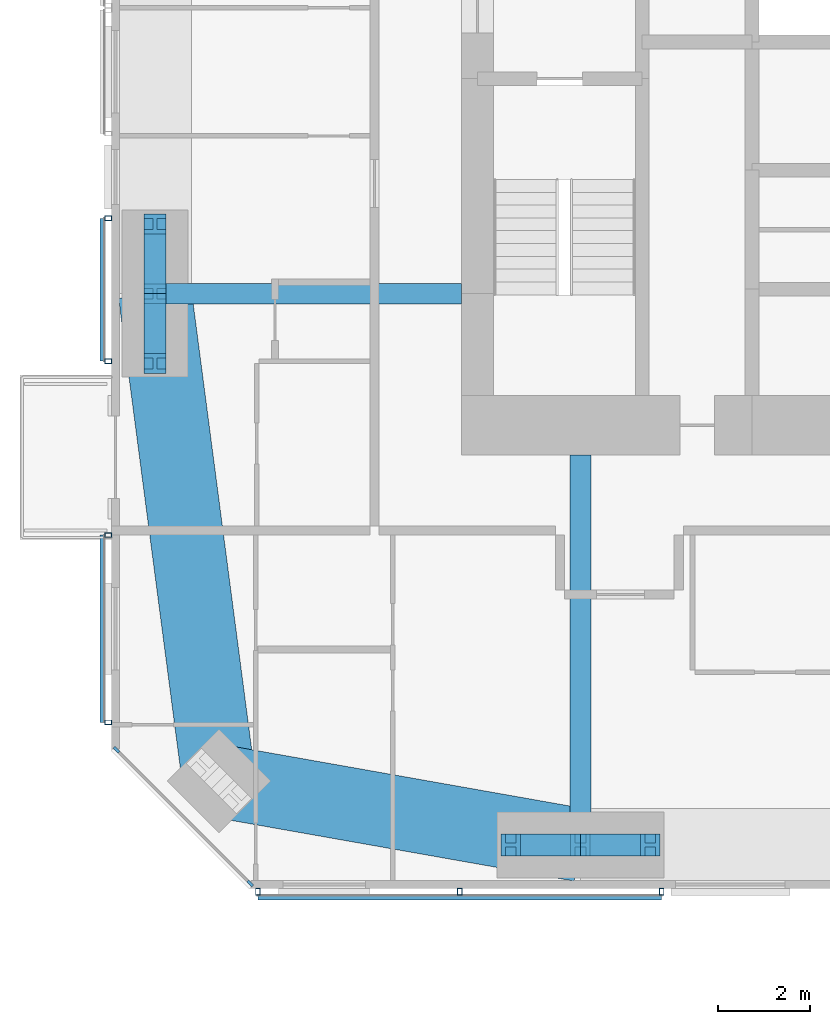
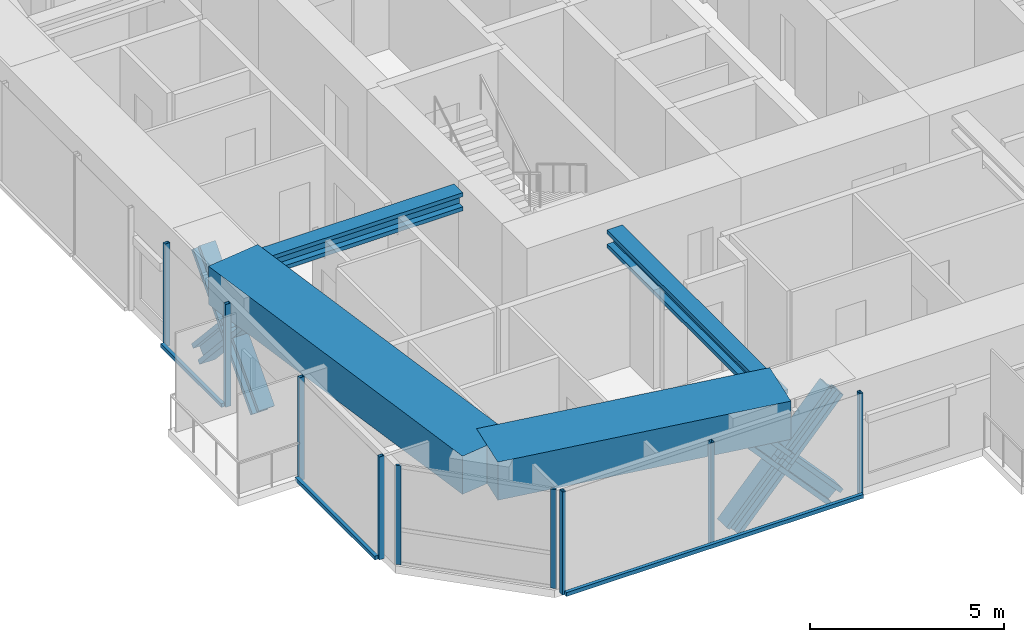
# One storey, part 2 of 22: 20 members, 4 beams, 4 elements without a shape of their own.
"""IFC4 building model written with IfcOpenShell, lengths in metres."""

from ifc_helpers import new_model, si_unit, direction, frame, origin, origin_2d, place, context, subcontext, project, spatial, rectangle, hollow_rectangle, i_section, extrude, material, material_profile, profile_set, type_object, element, aggregate, save


model = new_model("IFC4")

# Units and contexts
model_context = context("Model", 3, precision=1e-05, world=origin(), true_north=direction((0.0, 1.0)))
body_context = subcontext(model_context, "Body", "Model", "MODEL_VIEW")
ifc_project = project(units=[si_unit("LENGTHUNIT", "METRE"), si_unit("AREAUNIT", "SQUARE_METRE"), si_unit("VOLUMEUNIT", "CUBIC_METRE"), si_unit("PLANEANGLEUNIT", "RADIAN"), si_unit("MASSUNIT", "GRAM", prefix="KILO")], contexts=[model_context])

# Site, building, storey
site_placement = place(None, origin())
site = spatial("IfcSite", under=ifc_project, at=site_placement, CompositionType="ELEMENT")
building_placement = place(site_placement, origin())
building = spatial("IfcBuilding", under=site, at=building_placement, Name="Jalousie Tower", CompositionType="ELEMENT")
storey_placement = place(building_placement, frame((0.0, 0.0, 201.25)))
storey = spatial("IfcBuildingStorey", under=building, at=storey_placement, Name="L55", CompositionType="ELEMENT", Elevation=201.25)

# Curtain wall, members
ifc_material_1 = material(Name="Aluminium curtain wall", Category="aluminium")
curtain_wall_type_1 = type_object("IfcCurtainWallType", Name="CORNER WINDOW WALL", PredefinedType="USERDEFINED", material=ifc_material_1)
curtain_wall_1_placement = place(storey_placement, origin())
curtain_wall_1 = element("IfcCurtainWall", 1, at=curtain_wall_1_placement, inside=storey, type_object=curtain_wall_type_1, Name="Corner Window Wall L55 8", ObjectType="CORNER WINDOW WALL", PredefinedType="USERDEFINED")
ifc_material_2 = material(Name="Aluminium mullion", Category="aluminium")
ifc_material_profile_1 = material_profile(ifc_material_2, rectangle(XDim=0.06005859375, YDim=0.14990234375, at=origin_2d()), Name="MULLION 60x150")
ifc_profile_set_1 = profile_set([ifc_material_profile_1], Name="Aluminium mullion")
member_type_1 = type_object("IfcMemberType", Name="CORNER WINDOW WALL MULLION", PredefinedType="MULLION", material=ifc_profile_set_1)
member_1_placement = place(storey_placement, frame((12.108642578125, 3.030029296875, 0.0), z_axis=(0.0, 0.0, 1.0), x_axis=(0.707106781187, 0.707106781187, 0.0)))
member_1 = element("IfcMember", 2, at=member_1_placement, type_object=member_type_1, Name="CW-C mullion 1", PredefinedType="MULLION", context=body_context, shape_type="SweptSolid", body=[
    extrude(rectangle(XDim=0.06005859375, YDim=0.14990234375, at=origin_2d()), origin(), (0.0, 0.0, 1.0), 3.110107421875),
])
member_2_placement = place(storey_placement, frame((15.030029296875, 0.108642578125, 0.0), z_axis=(0.0, 0.0, 1.0), x_axis=(0.707106781187, 0.707106781187, 0.0)))
member_2 = element("IfcMember", 3, at=member_2_placement, type_object=member_type_1, Name="CW-C mullion 2", PredefinedType="MULLION", context=body_context, shape_type="SweptSolid", body=[
    extrude(rectangle(XDim=0.06005859375, YDim=0.14990234375, at=origin_2d()), origin(), (0.0, 0.0, 1.0), 3.110107421875),
])
aggregate(curtain_wall_1, [member_1, member_2])

# Beams
ifc_material_3 = material(Name="Steel ASTM A992 Grade 50", Category="steel")
ifc_material_profile_2 = material_profile(ifc_material_3, i_section(OverallWidth=0.45458984375, OverallDepth=0.569091796875, WebThickness=0.077880859375, FlangeThickness=0.124755859375, at=origin_2d()), Name="W14X730")
ifc_profile_set_2 = profile_set([ifc_material_profile_2], Name="Steel ASTM A992 Grade 50")
beam_type_1 = type_object("IfcBeamType", Name="LEAN COLLECTOR W14X730", PredefinedType="BEAM", material=ifc_profile_set_2)
beam_1_placement = place(storey_placement, frame((12.949951171875, 13.0, 2.825439453125), z_axis=(1.0, 0.0, 0.0), x_axis=(0.0, 1.0, 0.0)))
element("IfcBeam", 4, at=beam_1_placement, inside=storey, type_object=beam_type_1, Name="Lean collector under L56", PredefinedType="BEAM", context=body_context, shape_type="SweptSolid", body=[
    extrude(i_section(OverallWidth=0.45458984375, OverallDepth=0.569091796875, WebThickness=0.077880859375, FlangeThickness=0.124755859375, at=origin_2d()), origin(), (0.0, 0.0, 1.0), 6.699951171875),
])
beam_2_placement = place(storey_placement, frame((22.25, 0.949951171875, 2.825439453125), z_axis=(0.0, 1.0, 0.0), x_axis=(-1.0, 0.0, 0.0)))
element("IfcBeam", 5, at=beam_2_placement, inside=storey, type_object=beam_type_1, Name="Lean collector under L56", PredefinedType="BEAM", context=body_context, shape_type="SweptSolid", body=[
    extrude(i_section(OverallWidth=0.45458984375, OverallDepth=0.569091796875, WebThickness=0.077880859375, FlangeThickness=0.124755859375, at=origin_2d()), origin(), (0.0, 0.0, 1.0), 8.525146484375),
])

# Members
ifc_material_4 = material(Name="Steel ASTM A992 Grade 50", Category="steel")
ifc_material_profile_3 = material_profile(ifc_material_4, i_section(OverallWidth=0.472412109375, OverallDepth=0.5791015625, WebThickness=0.094970703125, FlangeThickness=0.1298828125, at=origin_2d()), Name="W14X808")
ifc_profile_set_3 = profile_set([ifc_material_profile_3], Name="Steel ASTM A992 Grade 50")
member_type_2 = type_object("IfcMemberType", Name="PERIMETER BRACE W14X808", PredefinedType="BRACE", material=ifc_profile_set_3)
for number, where, z_axis, x_axis, name in (
    (6, (20.72509765625, 0.949951171875, -0.60009765625), (0.673187629365, 0.0, 0.739471713908), (0.0, 1.0, 0.0), "Perimeter brace 02 L55 part 1"),
    (7, (22.25, 0.949951171875, 1.074951171875), (0.673187629365, 0.0, 0.739471713908), (0.0, 1.0, 0.0), "Perimeter brace 02 L55 part 2"),
    (8, (23.77490234375, 0.949951171875, -0.60009765625), (-0.673187629365, 0.0, 0.739471713908), (0.0, -1.0, 0.0), "Perimeter brace 02 L55 part 3"),
    (9, (22.25, 0.949951171875, 1.074951171875), (-0.673187629365, 0.0, 0.739471713908), (0.0, -1.0, 0.0), "Perimeter brace 02 L55 part 4"),
    (10, (12.949951171875, 11.47509765625, -0.60009765625), (0.0, 0.673187629365, 0.739471713908), (-1.0, 0.0, 0.0), "Perimeter brace 14 L55 part 1"),
    (11, (12.949951171875, 13.0, 1.074951171875), (0.0, 0.673187629365, 0.739471713908), (-1.0, 0.0, 0.0), "Perimeter brace 14 L55 part 2"),
    (12, (12.949951171875, 14.52490234375, -0.60009765625), (0.0, -0.673187629365, 0.739471713908), (1.0, 0.0, 0.0), "Perimeter brace 14 L55 part 3"),
    (13, (12.949951171875, 13.0, 1.074951171875), (0.0, -0.673187629365, 0.739471713908), (1.0, 0.0, 0.0), "Perimeter brace 14 L55 part 4"),
):
    element("IfcMember", number, at=place(storey_placement, frame(where, z_axis=z_axis, x_axis=x_axis)), inside=storey, type_object=member_type_2, Name=name, PredefinedType="BRACE", context=body_context, shape_type="SweptSolid", body=[
        extrude(i_section(OverallWidth=0.472412109375, OverallDepth=0.5791015625, WebThickness=0.094970703125, FlangeThickness=0.1298828125, at=origin_2d()), origin(), (0.0, 0.0, 1.0), 2.26513671875),
    ])

# Beams
ifc_material_5 = material(Name="Concrete f'c 40 MPa", Category="concrete")
ifc_material_profile_4 = material_profile(ifc_material_5, rectangle(XDim=1.60009765625, YDim=1.199951171875, at=origin_2d()), Name="RC 1600x1200")
ifc_profile_set_4 = profile_set([ifc_material_profile_4], Name="Concrete f'c 40 MPa")
beam_type_2 = type_object("IfcBeamType", Name="RC BEAM 1600x1200", PredefinedType="BEAM", material=ifc_profile_set_4)
beam_3_placement = place(storey_placement, frame((14.348388671875, 2.348388671875, 2.75), z_axis=(0.984697370688, -0.174273027632, 0.0), x_axis=(0.174273027632, 0.984697370688, 0.0)))
element("IfcBeam", 14, at=beam_3_placement, inside=storey, type_object=beam_type_2, Name="Edge band beam 01-02 under L56", PredefinedType="BEAM", context=body_context, shape_type="SweptSolid", body=[
    extrude(rectangle(XDim=1.60009765625, YDim=1.199951171875, at=origin_2d()), origin(), (0.0, 0.0, 1.0), 8.0244140625),
])
beam_4_placement = place(storey_placement, frame((12.949951171875, 13.0, 2.75), z_axis=(0.130171745558, -0.991491460709, 0.0), x_axis=(0.991491460709, 0.130171745558, 0.0)))
element("IfcBeam", 15, at=beam_4_placement, inside=storey, type_object=beam_type_2, Name="Edge band beam 14-01 under L56", PredefinedType="BEAM", context=body_context, shape_type="SweptSolid", body=[
    extrude(rectangle(XDim=1.60009765625, YDim=1.199951171875, at=origin_2d()), origin(), (0.0, 0.0, 1.0), 10.742919921875),
])

# Curtain wall, members
ifc_material_6 = material(Name="Perforated aluminium sheet", Category="aluminium")
curtain_wall_type_2 = type_object("IfcCurtainWallType", Name="SOLAR SCREEN SS-1", PredefinedType="USERDEFINED", material=ifc_material_6)
curtain_wall_2_placement = place(storey_placement, origin())
curtain_wall_2 = element("IfcCurtainWall", 16, at=curtain_wall_2_placement, inside=storey, type_object=curtain_wall_type_2, Name="Solar screen L55", ObjectType="SOLAR SCREEN SS-1", PredefinedType="USERDEFINED")
ifc_material_7 = material(Name="Steel ASTM A500 Grade C", Category="steel")
ifc_material_profile_5 = material_profile(ifc_material_7, hollow_rectangle(XDim=0.1015625, YDim=0.15234375, WallThickness=0.00634765625, at=origin_2d()), Name="HSS6X4X1/4")
ifc_profile_set_5 = profile_set([ifc_material_profile_5], Name="Steel ASTM A500 Grade C")
member_type_3 = type_object("IfcMemberType", Name="SOLAR SCREEN SS-1 MULLION", PredefinedType="MULLION", material=ifc_profile_set_5)
member_3_placement = place(storey_placement, frame((15.199951171875, -0.0712890625, -0.1201171875), z_axis=(0.0, 0.0, 1.0), x_axis=(1.0, 0.0, 0.0)))
member_3 = element("IfcMember", 17, at=member_3_placement, type_object=member_type_3, Name="SS1 post 1", PredefinedType="MULLION", context=body_context, shape_type="SweptSolid", body=[
    extrude(hollow_rectangle(XDim=0.1015625, YDim=0.15234375, WallThickness=0.00634765625, at=origin_2d()), origin(), (0.0, 0.0, 1.0), 3.230224609375),
])
member_4_placement = place(storey_placement, frame((19.612548828125, -0.0712890625, -0.1201171875), z_axis=(0.0, 0.0, 1.0), x_axis=(1.0, 0.0, 0.0)))
member_4 = element("IfcMember", 18, at=member_4_placement, type_object=member_type_3, Name="SS1 post 2", PredefinedType="MULLION", context=body_context, shape_type="SweptSolid", body=[
    extrude(hollow_rectangle(XDim=0.1015625, YDim=0.15234375, WallThickness=0.00634765625, at=origin_2d()), origin(), (0.0, 0.0, 1.0), 3.230224609375),
])
member_5_placement = place(storey_placement, frame((24.02490234375, -0.0712890625, -0.1201171875), z_axis=(0.0, 0.0, 1.0), x_axis=(1.0, 0.0, 0.0)))
member_5 = element("IfcMember", 19, at=member_5_placement, type_object=member_type_3, Name="SS1 post 3", PredefinedType="MULLION", context=body_context, shape_type="SweptSolid", body=[
    extrude(hollow_rectangle(XDim=0.1015625, YDim=0.15234375, WallThickness=0.00634765625, at=origin_2d()), origin(), (0.0, 0.0, 1.0), 3.230224609375),
])

curtain_wall_3_placement = place(storey_placement, origin())
curtain_wall_3 = element("IfcCurtainWall", 20, at=curtain_wall_3_placement, inside=storey, type_object=curtain_wall_type_2, Name="Solar screen L55", ObjectType="SOLAR SCREEN SS-1", PredefinedType="USERDEFINED")
member_6_placement = place(storey_placement, frame((11.9287109375, 14.649658203125, -0.1201171875), z_axis=(0.0, 0.0, 1.0), x_axis=(0.0, -1.0, 0.0)))
member_6 = element("IfcMember", 21, at=member_6_placement, type_object=member_type_3, Name="SS1 post 1", PredefinedType="MULLION", context=body_context, shape_type="SweptSolid", body=[
    extrude(hollow_rectangle(XDim=0.1015625, YDim=0.15234375, WallThickness=0.00634765625, at=origin_2d()), origin(), (0.0, 0.0, 1.0), 3.230224609375),
])
member_7_placement = place(storey_placement, frame((11.9287109375, 11.52490234375, -0.1201171875), z_axis=(0.0, 0.0, 1.0), x_axis=(0.0, -1.0, 0.0)))
member_7 = element("IfcMember", 22, at=member_7_placement, type_object=member_type_3, Name="SS1 post 2", PredefinedType="MULLION", context=body_context, shape_type="SweptSolid", body=[
    extrude(hollow_rectangle(XDim=0.1015625, YDim=0.15234375, WallThickness=0.00634765625, at=origin_2d()), origin(), (0.0, 0.0, 1.0), 3.230224609375),
])

curtain_wall_4_placement = place(storey_placement, origin())
curtain_wall_4 = element("IfcCurtainWall", 23, at=curtain_wall_4_placement, inside=storey, type_object=curtain_wall_type_2, Name="Solar screen L55", ObjectType="SOLAR SCREEN SS-1", PredefinedType="USERDEFINED")
member_8_placement = place(storey_placement, frame((11.9287109375, 7.72509765625, -0.1201171875), z_axis=(0.0, 0.0, 1.0), x_axis=(0.0, -1.0, 0.0)))
member_8 = element("IfcMember", 24, at=member_8_placement, type_object=member_type_3, Name="SS1 post 1", PredefinedType="MULLION", context=body_context, shape_type="SweptSolid", body=[
    extrude(hollow_rectangle(XDim=0.1015625, YDim=0.15234375, WallThickness=0.00634765625, at=origin_2d()), origin(), (0.0, 0.0, 1.0), 3.230224609375),
])
member_9_placement = place(storey_placement, frame((11.9287109375, 3.6298828125, -0.1201171875), z_axis=(0.0, 0.0, 1.0), x_axis=(0.0, -1.0, 0.0)))
member_9 = element("IfcMember", 25, at=member_9_placement, type_object=member_type_3, Name="SS1 post 2", PredefinedType="MULLION", context=body_context, shape_type="SweptSolid", body=[
    extrude(hollow_rectangle(XDim=0.1015625, YDim=0.15234375, WallThickness=0.00634765625, at=origin_2d()), origin(), (0.0, 0.0, 1.0), 3.230224609375),
])

# Member
ifc_material_8 = material(Name="Extruded aluminium screen rail", Category="aluminium")
ifc_material_profile_6 = material_profile(ifc_material_8, rectangle(XDim=0.1015625, YDim=0.1201171875, at=origin_2d()), Name="RAIL 102x120")
ifc_profile_set_6 = profile_set([ifc_material_profile_6], Name="Extruded aluminium screen rail")
member_type_4 = type_object("IfcMemberType", Name="SOLAR SCREEN SS-1 TRANSOM", PredefinedType="USERDEFINED", material=ifc_profile_set_6)
member_10_placement = place(storey_placement, frame((15.199951171875, -0.1982421875, -0.06005859375), z_axis=(1.0, 0.0, 0.0), x_axis=(0.0, 1.0, 0.0)))
member_10 = element("IfcMember", 26, at=member_10_placement, type_object=member_type_4, Name="SS1 rail", ObjectType="TRANSOM", PredefinedType="USERDEFINED", context=body_context, shape_type="SweptSolid", body=[
    extrude(rectangle(XDim=0.1015625, YDim=0.1201171875, at=origin_2d()), origin(), (0.0, 0.0, 1.0), 8.824951171875),
])

aggregate(curtain_wall_2, [member_3, member_4, member_5, member_10])

member_11_placement = place(storey_placement, frame((11.8017578125, 14.649658203125, -0.06005859375), z_axis=(0.0, -1.0, 0.0), x_axis=(1.0, 0.0, 0.0)))
member_11 = element("IfcMember", 27, at=member_11_placement, type_object=member_type_4, Name="SS1 rail", ObjectType="TRANSOM", PredefinedType="USERDEFINED", context=body_context, shape_type="SweptSolid", body=[
    extrude(rectangle(XDim=0.1015625, YDim=0.1201171875, at=origin_2d()), origin(), (0.0, 0.0, 1.0), 3.124755859375),
])

aggregate(curtain_wall_3, [member_6, member_7, member_11])

member_12_placement = place(storey_placement, frame((11.8017578125, 7.72509765625, -0.06005859375), z_axis=(0.0, -1.0, 0.0), x_axis=(1.0, 0.0, 0.0)))
member_12 = element("IfcMember", 28, at=member_12_placement, type_object=member_type_4, Name="SS1 rail", ObjectType="TRANSOM", PredefinedType="USERDEFINED", context=body_context, shape_type="SweptSolid", body=[
    extrude(rectangle(XDim=0.1015625, YDim=0.1201171875, at=origin_2d()), origin(), (0.0, 0.0, 1.0), 4.09521484375),
])

aggregate(curtain_wall_4, [member_8, member_9, member_12])

save(model, "model.ifc")
